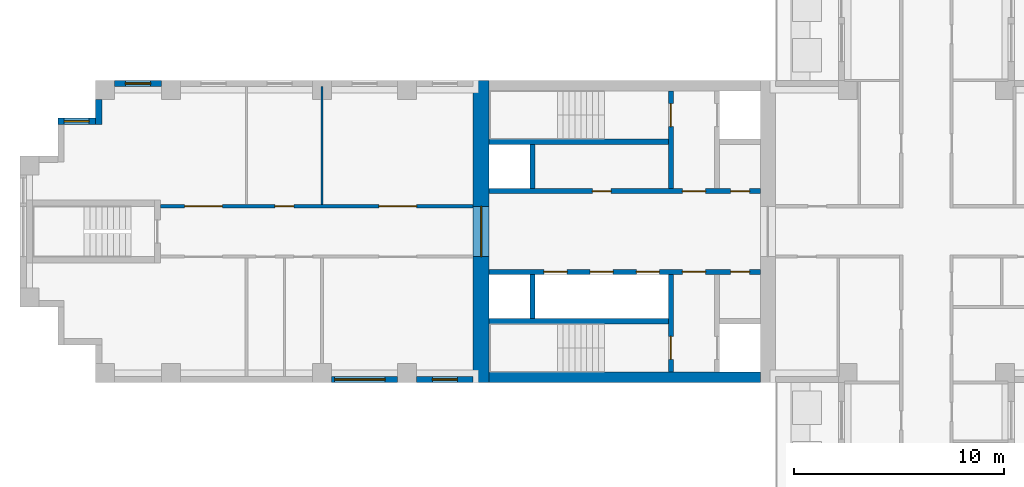
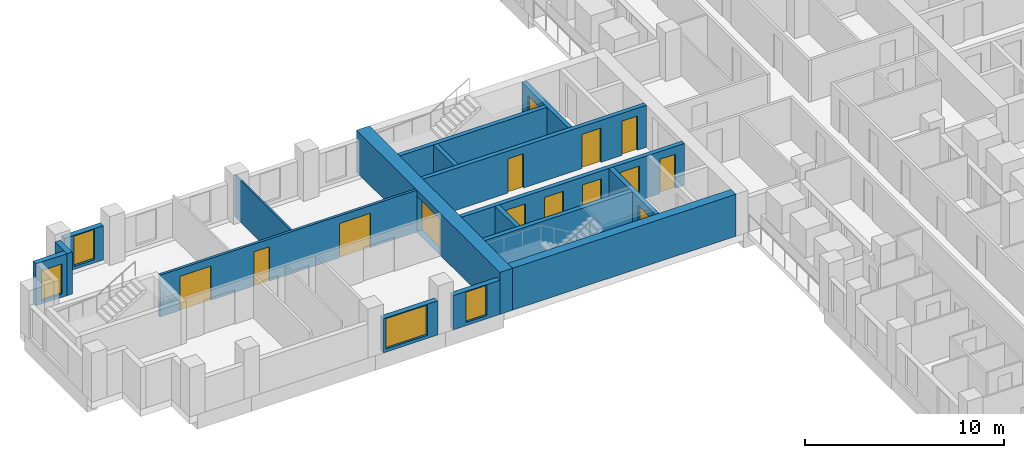
# One storey, part 6 of 15: 17 walls, 14 doors, 4 windows, 18 openings.
"""IFC4 building model written with IfcOpenShell, lengths in metres."""

from ifc_helpers import new_model, si_unit, direction, frame, frame_2d, origin, place, context, subcontext, project, spatial, rectangle, extrude, material, layer, layer_set, type_object, element, fill, save


model = new_model("IFC4")

# Units and contexts
model_context = context("Model", 3, precision=1e-05, world=origin(), true_north=direction((0.0, 1.0)))
body_context = subcontext(model_context, "Body", "Model", "MODEL_VIEW")
ifc_project = project(units=[si_unit("LENGTHUNIT", "METRE"), si_unit("AREAUNIT", "SQUARE_METRE"), si_unit("VOLUMEUNIT", "CUBIC_METRE"), si_unit("PLANEANGLEUNIT", "RADIAN"), si_unit("MASSUNIT", "GRAM", prefix="KILO")], contexts=[model_context])

# Site, building, storey
site_placement = place(None, origin())
site = spatial("IfcSite", under=ifc_project, at=site_placement, CompositionType="ELEMENT")
building_placement = place(site_placement, origin())
building = spatial("IfcBuilding", under=site, at=building_placement, Name="Fustian Cross Tower", CompositionType="ELEMENT")
storey_placement = place(building_placement, frame((0.0, 0.0, 17.699951171875)))
storey = spatial("IfcBuildingStorey", under=building, at=storey_placement, Name="L04", CompositionType="ELEMENT", Elevation=17.699951171875)

# Wall, openings, doors
ifc_material_1 = material(Name="Plasterboard on steel stud", Category="steel")
ifc_layer_1 = layer(ifc_material_1, 0.14990234375)
ifc_layer_set_1 = layer_set([ifc_layer_1], Name="Plasterboard on steel stud")
wall_type_1 = type_object("IfcWallType", Name="COMPARTMENT WALL 150 EI 60", PredefinedType="PARTITIONING", material=ifc_layer_set_1)
wall_1_placement = place(storey_placement, frame((-36.5, 1.199951171875, 0.0), z_axis=(0.0, 0.0, 1.0), x_axis=(1.0, 0.0, 0.0)))
wall_1 = element("IfcWall", 1, at=wall_1_placement, inside=storey, type_object=wall_type_1, Name="Partition 2", PredefinedType="PARTITIONING", context=body_context, shape_type="SweptSolid", body=[
    extrude(rectangle(XDim=14.89990234375, YDim=0.14990234375, at=frame_2d((7.449951171875, 0.0))), origin(), (0.0, 0.0, 1.0), 2.574951171875),
])
opening_1_placement = place(wall_1_placement, frame((10.39990234375, 0.0, 0.0)))
opening_1 = element("IfcOpeningElement", 2, at=opening_1_placement, cuts=wall_1, Name="Opening D04052", PredefinedType="OPENING", context=body_context, shape_type="SweptSolid", body=[
    extrude(rectangle(XDim=1.800048828125, YDim=2.10009765625, at=frame_2d((0.89990234375, 1.050048828125))), frame((0.0, 0.0849609375, 0.0), z_axis=(0.0, -1.0, 0.0), x_axis=(1.0, 0.0, 0.0)), (0.0, 0.0, 1.0), 0.169921875),
])
opening_2_placement = place(wall_1_placement, frame((5.449951171875, 0.0, 0.0)))
opening_2 = element("IfcOpeningElement", 3, at=opening_2_placement, cuts=wall_1, Name="Opening D04053", PredefinedType="OPENING", context=body_context, shape_type="SweptSolid", body=[
    extrude(rectangle(XDim=0.89990234375, YDim=2.10009765625, at=frame_2d((0.449951171875, 1.050048828125))), frame((0.0, 0.0849609375, 0.0), z_axis=(0.0, -1.0, 0.0), x_axis=(1.0, 0.0, 0.0)), (0.0, 0.0, 1.0), 0.169921875),
])
opening_3_placement = place(wall_1_placement, frame((1.14990234375, 0.0, 0.0)))
opening_3 = element("IfcOpeningElement", 4, at=opening_3_placement, cuts=wall_1, Name="Opening D04054", PredefinedType="OPENING", context=body_context, shape_type="SweptSolid", body=[
    extrude(rectangle(XDim=1.800048828125, YDim=2.10009765625, at=frame_2d((0.89990234375, 1.050048828125))), frame((0.0, 0.0849609375, 0.0), z_axis=(0.0, -1.0, 0.0), x_axis=(1.0, 0.0, 0.0)), (0.0, 0.0, 1.0), 0.169921875),
])
ifc_material_2 = material(Name="Timber fire door set", Category="wood")
door_type_1 = type_object("IfcDoorType", Name="FIRE DOUBLE DOOR 1800 FD30S", OperationType="DOUBLE_DOOR_DOUBLE_SWING", PredefinedType="DOOR", material=ifc_material_2)
door_1_placement = place(opening_1_placement, frame((1.800048828125, 0.0, 0.0), z_axis=(0.0, 0.0, 1.0), x_axis=(-1.0, 0.0, 0.0)))
door_1 = element("IfcDoor", 5, at=door_1_placement, inside=storey, type_object=door_type_1, Name="Door D04052", OperationType="DOUBLE_DOOR_DOUBLE_SWING", OverallHeight=2.10009765625, OverallWidth=1.800048828125, PredefinedType="DOOR", context=body_context, shape_type="SweptSolid", body=[
    extrude(rectangle(XDim=1.800048828125, YDim=2.10009765625, at=frame_2d((0.89990234375, 1.050048828125))), frame((0.0, 0.02490234375, 0.0), z_axis=(0.0, -1.0, 0.0), x_axis=(1.0, 0.0, 0.0)), (0.0, 0.0, 1.0), 0.050048828125),
])
fill(opening_1, door_1)
door_2_placement = place(opening_3_placement, frame((1.800048828125, 0.0, 0.0), z_axis=(0.0, 0.0, 1.0), x_axis=(-1.0, 0.0, 0.0)))
door_2 = element("IfcDoor", 6, at=door_2_placement, inside=storey, type_object=door_type_1, Name="Door D04054", OperationType="DOUBLE_DOOR_DOUBLE_SWING", OverallHeight=2.10009765625, OverallWidth=1.800048828125, PredefinedType="DOOR", context=body_context, shape_type="SweptSolid", body=[
    extrude(rectangle(XDim=1.800048828125, YDim=2.10009765625, at=frame_2d((0.89990234375, 1.050048828125))), frame((0.0, 0.02490234375, 0.0), z_axis=(0.0, -1.0, 0.0), x_axis=(1.0, 0.0, 0.0)), (0.0, 0.0, 1.0), 0.050048828125),
])
fill(opening_3, door_2)
ifc_material_3 = material(Name="Timber fire door set", Category="wood")
door_type_2 = type_object("IfcDoorType", Name="FIRE SWING DOOR 900 FD30S", OperationType="SINGLE_SWING_LEFT", PredefinedType="DOOR", material=ifc_material_3)
door_3_placement = place(opening_2_placement, origin())
door_3 = element("IfcDoor", 7, at=door_3_placement, inside=storey, type_object=door_type_2, Name="Door D04053", OperationType="SINGLE_SWING_LEFT", OverallHeight=2.10009765625, OverallWidth=0.89990234375, PredefinedType="DOOR", context=body_context, shape_type="SweptSolid", body=[
    extrude(rectangle(XDim=0.89990234375, YDim=2.10009765625, at=frame_2d((0.449951171875, 1.050048828125))), frame((0.0, 0.02490234375, 0.0), z_axis=(0.0, -1.0, 0.0), x_axis=(1.0, 0.0, 0.0)), (0.0, 0.0, 1.0), 0.050048828125),
])
fill(opening_2, door_3)

# Wall, opening, door
ifc_material_4 = material(Name="Concrete C80/95", Category="concrete")
ifc_layer_2 = layer(ifc_material_4, 0.75)
ifc_layer_set_2 = layer_set([ifc_layer_2], Name="Concrete C80/95")
wall_type_2 = type_object("IfcWallType", Name="CORE END WALL 750 C80/95", PredefinedType="SHEAR", material=ifc_layer_set_2)
wall_2_placement = place(storey_placement, frame((-21.22509765625, -7.199951171875, 0.0), z_axis=(0.0, 0.0, 1.0), x_axis=(0.0, 1.0, 0.0)))
wall_2 = element("IfcWall", 8, at=wall_2_placement, inside=storey, type_object=wall_type_2, Name="Core end wall", PredefinedType="SHEAR", context=body_context, shape_type="SweptSolid", body=[
    extrude(rectangle(XDim=14.39990234375, YDim=0.75, at=frame_2d((7.199951171875, 0.0))), origin(), (0.0, 0.0, 1.0), 2.574951171875),
])
opening_4_placement = place(wall_2_placement, frame((6.0, 0.0, 0.0)))
opening_4 = element("IfcOpeningElement", 9, at=opening_4_placement, cuts=wall_2, Name="Opening CD-04-27", PredefinedType="OPENING", context=body_context, shape_type="SweptSolid", body=[
    extrude(rectangle(XDim=2.39990234375, YDim=2.199951171875, at=frame_2d((1.199951171875, 1.10009765625))), frame((0.0, 0.385009765625, 0.0), z_axis=(0.0, -1.0, 0.0), x_axis=(1.0, 0.0, 0.0)), (0.0, 0.0, 1.0), 0.77001953125),
])
ifc_material_5 = material(Name="Steel", Category="steel")
door_type_3 = type_object("IfcDoorType", Name="FIRE DOOR FD30S DOUBLE 2400X2200", OperationType="DOUBLE_DOOR_DOUBLE_SWING", PredefinedType="DOOR", material=ifc_material_5)
door_4_placement = place(opening_4_placement, frame((2.39990234375, 0.0, 0.0), z_axis=(0.0, 0.0, 1.0), x_axis=(-1.0, 0.0, 0.0)))
door_4 = element("IfcDoor", 10, at=door_4_placement, inside=storey, type_object=door_type_3, Name="Core door CD-04-27", OperationType="DOUBLE_DOOR_DOUBLE_SWING", OverallHeight=2.199951171875, OverallWidth=2.39990234375, PredefinedType="DOOR", context=body_context, shape_type="SweptSolid", body=[
    extrude(rectangle(XDim=2.39990234375, YDim=2.199951171875, at=frame_2d((1.199951171875, 1.10009765625))), frame((0.0, 0.02490234375, 0.0), z_axis=(0.0, -1.0, 0.0), x_axis=(1.0, 0.0, 0.0)), (0.0, 0.0, 1.0), 0.050048828125),
])
fill(opening_4, door_4)

# Wall
ifc_material_6 = material(Name="Concrete C80/95", Category="concrete")
ifc_layer_3 = layer(ifc_material_6, 0.5)
ifc_layer_set_3 = layer_set([ifc_layer_3], Name="Concrete C80/95")
wall_type_3 = type_object("IfcWallType", Name="CORE FACADE WALL 500 C80/95", PredefinedType="SHEAR", material=ifc_layer_set_3)
wall_3_placement = place(storey_placement, frame((-7.89990234375, -6.949951171875, 0.0), z_axis=(0.0, 0.0, 1.0), x_axis=(-1.0, 0.0, 0.0)))
element("IfcWall", 11, at=wall_3_placement, inside=storey, type_object=wall_type_3, Name="Core facade wall", PredefinedType="SHEAR", context=body_context, shape_type="SweptSolid", body=[
    extrude(rectangle(XDim=12.9501953125, YDim=0.5, at=frame_2d((6.47509765625, 0.0))), origin(), (0.0, 0.0, 1.0), 2.574951171875),
])

# Wall, openings, doors
ifc_material_7 = material(Name="Concrete C50/60", Category="concrete")
ifc_layer_4 = layer(ifc_material_7, 0.25)
ifc_layer_set_4 = layer_set([ifc_layer_4], Name="Concrete C50/60")
wall_type_4 = type_object("IfcWallType", Name="CORE LOBBY WALL 250 C50/60", PredefinedType="SHEAR", material=ifc_layer_set_4)
wall_4_placement = place(storey_placement, frame((-7.89990234375, 1.925048828125, 0.0), z_axis=(0.0, 0.0, 1.0), x_axis=(-1.0, 0.0, 0.0)))
wall_4 = element("IfcWall", 12, at=wall_4_placement, inside=storey, type_object=wall_type_4, Name="Core lobby wall", PredefinedType="SHEAR", context=body_context, shape_type="SweptSolid", body=[
    extrude(rectangle(XDim=12.9501953125, YDim=0.25, at=frame_2d((6.47509765625, 0.0))), origin(), (0.0, 0.0, 1.0), 2.574951171875),
])
opening_5_placement = place(wall_4_placement, frame((0.52490234375, 0.0, 0.0)))
opening_5 = element("IfcOpeningElement", 13, at=opening_5_placement, cuts=wall_4, Name="Opening CD-04-22", PredefinedType="OPENING", context=body_context, shape_type="SweptSolid", body=[
    extrude(rectangle(XDim=0.89990234375, YDim=2.10009765625, at=frame_2d((0.449951171875, 1.050048828125))), frame((0.0, 0.135009765625, 0.0), z_axis=(0.0, -1.0, 0.0), x_axis=(1.0, 0.0, 0.0)), (0.0, 0.0, 1.0), 0.27001953125),
])
opening_6_placement = place(wall_4_placement, frame((2.625, 0.0, 0.0)))
opening_6 = element("IfcOpeningElement", 14, at=opening_6_placement, cuts=wall_4, Name="Opening CD-04-24", PredefinedType="OPENING", context=body_context, shape_type="SweptSolid", body=[
    extrude(rectangle(XDim=1.10009765625, YDim=2.10009765625, at=frame_2d((0.550048828125, 1.050048828125))), frame((0.0, 0.135009765625, 0.0), z_axis=(0.0, -1.0, 0.0), x_axis=(1.0, 0.0, 0.0)), (0.0, 0.0, 1.0), 0.27001953125),
])
opening_7_placement = place(wall_4_placement, frame((7.125, 0.0, 0.0)))
opening_7 = element("IfcOpeningElement", 15, at=opening_7_placement, cuts=wall_4, Name="Opening CD-04-28", PredefinedType="OPENING", context=body_context, shape_type="SweptSolid", body=[
    extrude(rectangle(XDim=0.89990234375, YDim=2.10009765625, at=frame_2d((0.449951171875, 1.050048828125))), frame((0.0, 0.135009765625, 0.0), z_axis=(0.0, -1.0, 0.0), x_axis=(1.0, 0.0, 0.0)), (0.0, 0.0, 1.0), 0.27001953125),
])
ifc_material_8 = material(Name="Steel", Category="steel")
door_type_4 = type_object("IfcDoorType", Name="FIRE DOOR FD30S 900X2100", OperationType="SINGLE_SWING_LEFT", PredefinedType="DOOR", material=ifc_material_8)
door_5_placement = place(opening_7_placement, frame((0.89990234375, 0.0, 0.0), z_axis=(0.0, 0.0, 1.0), x_axis=(-1.0, 0.0, 0.0)))
door_5 = element("IfcDoor", 16, at=door_5_placement, inside=storey, type_object=door_type_4, Name="Core door CD-04-28", OperationType="SINGLE_SWING_RIGHT", OverallHeight=2.10009765625, OverallWidth=0.89990234375, PredefinedType="DOOR", context=body_context, shape_type="SweptSolid", body=[
    extrude(rectangle(XDim=0.89990234375, YDim=2.10009765625, at=frame_2d((0.449951171875, 1.050048828125))), frame((0.0, 0.02490234375, 0.0), z_axis=(0.0, -1.0, 0.0), x_axis=(1.0, 0.0, 0.0)), (0.0, 0.0, 1.0), 0.050048828125),
])
fill(opening_7, door_5)
ifc_material_9 = material(Name="Steel", Category="steel")
door_type_5 = type_object("IfcDoorType", Name="FIRE DOOR FD60S 1100X2100", OperationType="SINGLE_SWING_LEFT", PredefinedType="DOOR", material=ifc_material_9)
door_6_placement = place(opening_6_placement, frame((1.10009765625, 0.0, 0.0), z_axis=(0.0, 0.0, 1.0), x_axis=(-1.0, 0.0, 0.0)))
door_6 = element("IfcDoor", 17, at=door_6_placement, inside=storey, type_object=door_type_5, Name="Core door CD-04-24", OperationType="SINGLE_SWING_RIGHT", OverallHeight=2.10009765625, OverallWidth=1.10009765625, PredefinedType="DOOR", context=body_context, shape_type="SweptSolid", body=[
    extrude(rectangle(XDim=1.10009765625, YDim=2.10009765625, at=frame_2d((0.550048828125, 1.050048828125))), frame((0.0, 0.02490234375, 0.0), z_axis=(0.0, -1.0, 0.0), x_axis=(1.0, 0.0, 0.0)), (0.0, 0.0, 1.0), 0.050048828125),
])
fill(opening_6, door_6)
ifc_material_10 = material(Name="Steel", Category="steel")
door_type_6 = type_object("IfcDoorType", Name="FIRE DOOR FD60S 900X2100", OperationType="SINGLE_SWING_LEFT", PredefinedType="DOOR", material=ifc_material_10)
door_7_placement = place(opening_5_placement, frame((0.89990234375, 0.0, 0.0), z_axis=(0.0, 0.0, 1.0), x_axis=(-1.0, 0.0, 0.0)))
door_7 = element("IfcDoor", 18, at=door_7_placement, inside=storey, type_object=door_type_6, Name="Core door CD-04-22", OperationType="SINGLE_SWING_RIGHT", OverallHeight=2.10009765625, OverallWidth=0.89990234375, PredefinedType="DOOR", context=body_context, shape_type="SweptSolid", body=[
    extrude(rectangle(XDim=0.89990234375, YDim=2.10009765625, at=frame_2d((0.449951171875, 1.050048828125))), frame((0.0, 0.02490234375, 0.0), z_axis=(0.0, -1.0, 0.0), x_axis=(1.0, 0.0, 0.0)), (0.0, 0.0, 1.0), 0.050048828125),
])
fill(opening_5, door_7)

wall_5_placement = place(storey_placement, frame((-7.89990234375, -1.925048828125, 0.0), z_axis=(0.0, 0.0, 1.0), x_axis=(-1.0, 0.0, 0.0)))
wall_5 = element("IfcWall", 19, at=wall_5_placement, inside=storey, type_object=wall_type_4, Name="Core lobby wall", PredefinedType="SHEAR", context=body_context, shape_type="SweptSolid", body=[
    extrude(rectangle(XDim=12.9501953125, YDim=0.25, at=frame_2d((6.47509765625, 0.0))), origin(), (0.0, 0.0, 1.0), 2.574951171875),
])
opening_8_placement = place(wall_5_placement, frame((4.824951171875, 0.0, 0.0)))
opening_8 = element("IfcOpeningElement", 20, at=opening_8_placement, cuts=wall_5, Name="Opening LD", PredefinedType="OPENING", context=body_context, shape_type="SweptSolid", body=[
    extrude(rectangle(XDim=1.10009765625, YDim=2.10009765625, at=frame_2d((0.550048828125, 1.050048828125))), frame((0.0, 0.135009765625, 0.0), z_axis=(0.0, -1.0, 0.0), x_axis=(1.0, 0.0, 0.0)), (0.0, 0.0, 1.0), 0.27001953125),
])
opening_9_placement = place(wall_5_placement, frame((7.02490234375, 0.0, 0.0)))
opening_9 = element("IfcOpeningElement", 21, at=opening_9_placement, cuts=wall_5, Name="Opening LD", PredefinedType="OPENING", context=body_context, shape_type="SweptSolid", body=[
    extrude(rectangle(XDim=1.10009765625, YDim=2.10009765625, at=frame_2d((0.550048828125, 1.050048828125))), frame((0.0, 0.135009765625, 0.0), z_axis=(0.0, -1.0, 0.0), x_axis=(1.0, 0.0, 0.0)), (0.0, 0.0, 1.0), 0.27001953125),
])
opening_10_placement = place(wall_5_placement, frame((9.22509765625, 0.0, 0.0)))
opening_10 = element("IfcOpeningElement", 22, at=opening_10_placement, cuts=wall_5, Name="Opening LD", PredefinedType="OPENING", context=body_context, shape_type="SweptSolid", body=[
    extrude(rectangle(XDim=1.10009765625, YDim=2.10009765625, at=frame_2d((0.550048828125, 1.050048828125))), frame((0.0, 0.135009765625, 0.0), z_axis=(0.0, -1.0, 0.0), x_axis=(1.0, 0.0, 0.0)), (0.0, 0.0, 1.0), 0.27001953125),
])
opening_11_placement = place(wall_5_placement, frame((0.52490234375, 0.0, 0.0)))
opening_11 = element("IfcOpeningElement", 23, at=opening_11_placement, cuts=wall_5, Name="Opening CD-04-23", PredefinedType="OPENING", context=body_context, shape_type="SweptSolid", body=[
    extrude(rectangle(XDim=0.89990234375, YDim=2.10009765625, at=frame_2d((0.449951171875, 1.050048828125))), frame((0.0, 0.135009765625, 0.0), z_axis=(0.0, -1.0, 0.0), x_axis=(1.0, 0.0, 0.0)), (0.0, 0.0, 1.0), 0.27001953125),
])
opening_12_placement = place(wall_5_placement, frame((2.625, 0.0, 0.0)))
opening_12 = element("IfcOpeningElement", 24, at=opening_12_placement, cuts=wall_5, Name="Opening CD-04-25", PredefinedType="OPENING", context=body_context, shape_type="SweptSolid", body=[
    extrude(rectangle(XDim=1.10009765625, YDim=2.10009765625, at=frame_2d((0.550048828125, 1.050048828125))), frame((0.0, 0.135009765625, 0.0), z_axis=(0.0, -1.0, 0.0), x_axis=(1.0, 0.0, 0.0)), (0.0, 0.0, 1.0), 0.27001953125),
])
ifc_material_11 = material(Name="Steel", Category="steel")
door_type_7 = type_object("IfcDoorType", Name="FIRE DOOR FD30S 1100X2100", OperationType="SINGLE_SWING_LEFT", PredefinedType="DOOR", material=ifc_material_11)
door_8_placement = place(opening_12_placement, frame((1.10009765625, 0.0, 0.0), z_axis=(0.0, 0.0, 1.0), x_axis=(-1.0, 0.0, 0.0)))
door_8 = element("IfcDoor", 25, at=door_8_placement, inside=storey, type_object=door_type_7, Name="Core door CD-04-25", OperationType="SINGLE_SWING_RIGHT", OverallHeight=2.10009765625, OverallWidth=1.10009765625, PredefinedType="DOOR", context=body_context, shape_type="SweptSolid", body=[
    extrude(rectangle(XDim=1.10009765625, YDim=2.10009765625, at=frame_2d((0.550048828125, 1.050048828125))), frame((0.0, 0.02490234375, 0.0), z_axis=(0.0, -1.0, 0.0), x_axis=(1.0, 0.0, 0.0)), (0.0, 0.0, 1.0), 0.050048828125),
])
fill(opening_12, door_8)
door_9_placement = place(opening_11_placement, origin())
door_9 = element("IfcDoor", 26, at=door_9_placement, inside=storey, type_object=door_type_4, Name="Core door CD-04-23", OperationType="SINGLE_SWING_LEFT", OverallHeight=2.10009765625, OverallWidth=0.89990234375, PredefinedType="DOOR", context=body_context, shape_type="SweptSolid", body=[
    extrude(rectangle(XDim=0.89990234375, YDim=2.10009765625, at=frame_2d((0.449951171875, 1.050048828125))), frame((0.0, 0.02490234375, 0.0), z_axis=(0.0, -1.0, 0.0), x_axis=(1.0, 0.0, 0.0)), (0.0, 0.0, 1.0), 0.050048828125),
])
fill(opening_11, door_9)
ifc_material_12 = material(Name="Stainless steel", Category="steel")
door_type_8 = type_object("IfcDoorType", Name="LIFT LANDING DOOR 1100X2100", OperationType="SLIDING_TO_LEFT", PredefinedType="DOOR", material=ifc_material_12)
door_10_placement = place(opening_8_placement, origin())
door_10 = element("IfcDoor", 27, at=door_10_placement, inside=storey, type_object=door_type_8, Name="Landing door LR1W", OperationType="SLIDING_TO_LEFT", OverallHeight=2.10009765625, OverallWidth=1.10009765625, PredefinedType="DOOR", context=body_context, shape_type="SweptSolid", body=[
    extrude(rectangle(XDim=1.10009765625, YDim=2.10009765625, at=frame_2d((0.550048828125, 1.050048828125))), frame((0.0, 0.02490234375, 0.0), z_axis=(0.0, -1.0, 0.0), x_axis=(1.0, 0.0, 0.0)), (0.0, 0.0, 1.0), 0.050048828125),
])
fill(opening_8, door_10)
door_11_placement = place(opening_9_placement, origin())
door_11 = element("IfcDoor", 28, at=door_11_placement, inside=storey, type_object=door_type_8, Name="Landing door LR2W", OperationType="SLIDING_TO_LEFT", OverallHeight=2.10009765625, OverallWidth=1.10009765625, PredefinedType="DOOR", context=body_context, shape_type="SweptSolid", body=[
    extrude(rectangle(XDim=1.10009765625, YDim=2.10009765625, at=frame_2d((0.550048828125, 1.050048828125))), frame((0.0, 0.02490234375, 0.0), z_axis=(0.0, -1.0, 0.0), x_axis=(1.0, 0.0, 0.0)), (0.0, 0.0, 1.0), 0.050048828125),
])
fill(opening_9, door_11)
door_12_placement = place(opening_10_placement, origin())
door_12 = element("IfcDoor", 29, at=door_12_placement, inside=storey, type_object=door_type_8, Name="Landing door LR3W", OperationType="SLIDING_TO_LEFT", OverallHeight=2.10009765625, OverallWidth=1.10009765625, PredefinedType="DOOR", context=body_context, shape_type="SweptSolid", body=[
    extrude(rectangle(XDim=1.10009765625, YDim=2.10009765625, at=frame_2d((0.550048828125, 1.050048828125))), frame((0.0, 0.02490234375, 0.0), z_axis=(0.0, -1.0, 0.0), x_axis=(1.0, 0.0, 0.0)), (0.0, 0.0, 1.0), 0.050048828125),
])
fill(opening_10, door_12)

# Wall
ifc_material_13 = material(Name="Concrete C50/60", Category="concrete")
ifc_layer_5 = layer(ifc_material_13, 0.25)
ifc_layer_set_5 = layer_set([ifc_layer_5], Name="Concrete C50/60")
wall_type_5 = type_object("IfcWallType", Name="CORE SHAFT WALL 250 C50/60", PredefinedType="SHEAR", material=ifc_layer_set_5)
wall_6_placement = place(storey_placement, frame((-12.300048828125, 4.27490234375, 0.0), z_axis=(0.0, 0.0, 1.0), x_axis=(-1.0, 0.0, 0.0)))
element("IfcWall", 30, at=wall_6_placement, inside=storey, type_object=wall_type_5, Name="Core shaft wall", PredefinedType="SHEAR", context=body_context, shape_type="SweptSolid", body=[
    extrude(rectangle(XDim=8.550048828125, YDim=0.25, at=frame_2d((4.27490234375, 0.0))), origin(), (0.0, 0.0, 1.0), 2.574951171875),
])

# Wall, opening, door
wall_7_placement = place(storey_placement, frame((-12.175048828125, 2.050048828125, 0.0), z_axis=(0.0, 0.0, 1.0), x_axis=(0.0, 1.0, 0.0)))
wall_7 = element("IfcWall", 31, at=wall_7_placement, inside=storey, type_object=wall_type_5, Name="Core shaft wall", PredefinedType="SHEAR", context=body_context, shape_type="SweptSolid", body=[
    extrude(rectangle(XDim=4.64990234375, YDim=0.25, at=frame_2d((2.324951171875, 0.0))), origin(), (0.0, 0.0, 1.0), 2.574951171875),
])
opening_13_placement = place(wall_7_placement, frame((2.949951171875, 0.0, 0.0)))
opening_13 = element("IfcOpeningElement", 32, at=opening_13_placement, cuts=wall_7, Name="Opening CD-04-20", PredefinedType="OPENING", context=body_context, shape_type="SweptSolid", body=[
    extrude(rectangle(XDim=1.10009765625, YDim=2.10009765625, at=frame_2d((0.550048828125, 1.050048828125))), frame((0.0, 0.135009765625, 0.0), z_axis=(0.0, -1.0, 0.0), x_axis=(1.0, 0.0, 0.0)), (0.0, 0.0, 1.0), 0.27001953125),
])
door_13_placement = place(opening_13_placement, origin())
door_13 = element("IfcDoor", 33, at=door_13_placement, inside=storey, type_object=door_type_5, Name="Core door CD-04-20", OperationType="SINGLE_SWING_LEFT", OverallHeight=2.10009765625, OverallWidth=1.10009765625, PredefinedType="DOOR", context=body_context, shape_type="SweptSolid", body=[
    extrude(rectangle(XDim=1.10009765625, YDim=2.10009765625, at=frame_2d((0.550048828125, 1.050048828125))), frame((0.0, 0.02490234375, 0.0), z_axis=(0.0, -1.0, 0.0), x_axis=(1.0, 0.0, 0.0)), (0.0, 0.0, 1.0), 0.050048828125),
])
fill(opening_13, door_13)

# Wall
wall_8_placement = place(storey_placement, frame((-12.300048828125, -4.27490234375, 0.0), z_axis=(0.0, 0.0, 1.0), x_axis=(-1.0, 0.0, 0.0)))
element("IfcWall", 34, at=wall_8_placement, inside=storey, type_object=wall_type_5, Name="Core shaft wall", PredefinedType="SHEAR", context=body_context, shape_type="SweptSolid", body=[
    extrude(rectangle(XDim=8.550048828125, YDim=0.25, at=frame_2d((4.27490234375, 0.0))), origin(), (0.0, 0.0, 1.0), 2.574951171875),
])

# Wall, opening, door
wall_9_placement = place(storey_placement, frame((-12.175048828125, -2.050048828125, 0.0), z_axis=(0.0, 0.0, 1.0), x_axis=(0.0, -1.0, 0.0)))
wall_9 = element("IfcWall", 35, at=wall_9_placement, inside=storey, type_object=wall_type_5, Name="Core shaft wall", PredefinedType="SHEAR", context=body_context, shape_type="SweptSolid", body=[
    extrude(rectangle(XDim=4.64990234375, YDim=0.25, at=frame_2d((2.324951171875, 0.0))), origin(), (0.0, 0.0, 1.0), 2.574951171875),
])
opening_14_placement = place(wall_9_placement, frame((2.949951171875, 0.0, 0.0)))
opening_14 = element("IfcOpeningElement", 36, at=opening_14_placement, cuts=wall_9, Name="Opening CD-04-21", PredefinedType="OPENING", context=body_context, shape_type="SweptSolid", body=[
    extrude(rectangle(XDim=1.10009765625, YDim=2.10009765625, at=frame_2d((0.550048828125, 1.050048828125))), frame((0.0, 0.135009765625, 0.0), z_axis=(0.0, -1.0, 0.0), x_axis=(1.0, 0.0, 0.0)), (0.0, 0.0, 1.0), 0.27001953125),
])
door_14_placement = place(opening_14_placement, frame((1.10009765625, 0.0, 0.0), z_axis=(0.0, 0.0, 1.0), x_axis=(-1.0, 0.0, 0.0)))
door_14 = element("IfcDoor", 37, at=door_14_placement, inside=storey, type_object=door_type_5, Name="Core door CD-04-21", OperationType="SINGLE_SWING_RIGHT", OverallHeight=2.10009765625, OverallWidth=1.10009765625, PredefinedType="DOOR", context=body_context, shape_type="SweptSolid", body=[
    extrude(rectangle(XDim=1.10009765625, YDim=2.10009765625, at=frame_2d((0.550048828125, 1.050048828125))), frame((0.0, 0.02490234375, 0.0), z_axis=(0.0, -1.0, 0.0), x_axis=(1.0, 0.0, 0.0)), (0.0, 0.0, 1.0), 0.050048828125),
])
fill(opening_14, door_14)

# Walls
ifc_material_14 = material(Name="Plasterboard on steel stud", Category="steel")
ifc_layer_6 = layer(ifc_material_14, 0.10009765625)
ifc_layer_set_6 = layer_set([ifc_layer_6], Name="Plasterboard on steel stud")
wall_type_6 = type_object("IfcWallType", Name="PARTITION 100 STUD", PredefinedType="PARTITIONING", material=ifc_layer_set_6)
wall_10_placement = place(storey_placement, frame((-28.800048828125, 1.27490234375, 0.0), z_axis=(0.0, 0.0, 1.0), x_axis=(0.0, 1.0, 0.0)))
element("IfcWall", 38, at=wall_10_placement, inside=storey, type_object=wall_type_6, Name="Partition 7", PredefinedType="PARTITIONING", context=body_context, shape_type="SweptSolid", body=[
    extrude(rectangle(XDim=5.625, YDim=0.10009765625, at=frame_2d((2.8125, 0.0))), origin(), (0.0, 0.0, 1.0), 2.574951171875),
])
ifc_material_15 = material(Name="Concrete C40/50", Category="concrete")
ifc_layer_7 = layer(ifc_material_15, 0.25)
ifc_layer_set_7 = layer_set([ifc_layer_7], Name="Concrete C40/50")
wall_type_7 = type_object("IfcWallType", Name="SHAFT PARTITION WALL 250 C40/50", PredefinedType="PARTITIONING", material=ifc_layer_set_7)
for number, where, z_axis, x_axis, name in (
    (39, (-18.77490234375, 2.050048828125, 0.0), (0.0, 0.0, 1.0), (0.0, 1.0, 0.0), "Core shaft wall"),
    (40, (-18.77490234375, -2.050048828125, 0.0), (0.0, 0.0, 1.0), (0.0, -1.0, 0.0), "Core shaft wall"),
):
    element("IfcWall", number, at=place(storey_placement, frame(where, z_axis=z_axis, x_axis=x_axis)), inside=storey, type_object=wall_type_7, Name=name, PredefinedType="PARTITIONING", context=body_context, shape_type="SweptSolid", body=[
        extrude(rectangle(XDim=2.099853515625, YDim=0.25, at=frame_2d((1.0498046875, 0.0))), origin(), (0.0, 0.0, 1.0), 2.574951171875),
    ])

# Wall, opening, window
ifc_material_16 = material(Name="Dark aluminium cladding on insulated backing wall", Category="aluminium")
ifc_layer_8 = layer(ifc_material_16, 0.300048828125)
ifc_layer_set_8 = layer_set([ifc_layer_8], Name="Dark aluminium cladding on insulated backing wall")
wall_type_8 = type_object("IfcWallType", Name="XW1 EXTERNAL WALL 300", PredefinedType="SOLIDWALL", material=ifc_layer_set_8)
wall_11_placement = place(storey_placement, frame((-36.449951171875, 7.050048828125, 0.0), z_axis=(0.0, 0.0, 1.0), x_axis=(-1.0, 0.0, 0.0)))
wall_11 = element("IfcWall", 41, at=wall_11_placement, inside=storey, type_object=wall_type_8, Name="External wall", PredefinedType="SOLIDWALL", context=body_context, shape_type="SweptSolid", body=[
    extrude(rectangle(XDim=2.25, YDim=0.300048828125, at=frame_2d((1.125, 0.0))), origin(), (0.0, 0.0, 1.0), 2.10009765625),
])
opening_15_placement = place(wall_11_placement, frame((0.52490234375, 0.0, 0.199951171875)))
opening_15 = element("IfcOpeningElement", 42, at=opening_15_placement, cuts=wall_11, Name="Opening WN3", PredefinedType="OPENING", context=body_context, shape_type="SweptSolid", body=[
    extrude(rectangle(XDim=1.199951171875, YDim=1.85009765625, at=frame_2d((0.60009765625, 0.925048828125))), frame((0.0, 0.159912109375, 0.0), z_axis=(0.0, -1.0, 0.0), x_axis=(1.0, 0.0, 0.0)), (0.0, 0.0, 1.0), 0.320068359375),
])
ifc_material_17 = material(Name="Dark anodised aluminium and double glazing", Category="aluminium")
window_type_1 = type_object("IfcWindowType", Name="WN3 WINDOW 1200X1850", PartitioningType="SINGLE_PANEL", PredefinedType="WINDOW", material=ifc_material_17)
window_1_placement = place(opening_15_placement, origin())
window_1 = element("IfcWindow", 43, at=window_1_placement, inside=storey, type_object=window_type_1, Name="Window", OverallHeight=1.85009765625, OverallWidth=1.199951171875, PartitioningType="SINGLE_PANEL", PredefinedType="WINDOW", context=body_context, shape_type="SweptSolid", body=[
    extrude(rectangle(XDim=1.199951171875, YDim=1.85009765625, at=frame_2d((0.60009765625, 0.925048828125))), frame((0.0, 0.030029296875, 0.0), z_axis=(0.0, -1.0, 0.0), x_axis=(1.0, 0.0, 0.0)), (0.0, 0.0, 1.0), 0.06005859375),
])
fill(opening_15, window_1)

# Wall
wall_12_placement = place(storey_placement, frame((-39.449951171875, 6.300048828125, 0.0), z_axis=(0.0, 0.0, 1.0), x_axis=(0.0, -1.0, 0.0)))
element("IfcWall", 44, at=wall_12_placement, inside=storey, type_object=wall_type_8, Name="External wall", PredefinedType="SOLIDWALL", context=body_context, shape_type="SweptSolid", body=[
    extrude(rectangle(XDim=1.199951171875, YDim=0.300048828125, at=frame_2d((0.60009765625, 0.0))), origin(), (0.0, 0.0, 1.0), 2.574951171875),
])

# Wall, opening, window
wall_13_placement = place(storey_placement, frame((-39.60009765625, 5.25, 0.0), z_axis=(0.0, 0.0, 1.0), x_axis=(-1.0, 0.0, 0.0)))
wall_13 = element("IfcWall", 45, at=wall_13_placement, inside=storey, type_object=wall_type_8, Name="External wall", PredefinedType="SOLIDWALL", context=body_context, shape_type="SweptSolid", body=[
    extrude(rectangle(XDim=1.7998046875, YDim=0.300048828125, at=frame_2d((0.89990234375, 0.0))), origin(), (0.0, 0.0, 1.0), 2.574951171875),
])
opening_16_placement = place(wall_13_placement, frame((0.300048828125, 0.0, 0.199951171875)))
opening_16 = element("IfcOpeningElement", 46, at=opening_16_placement, cuts=wall_13, Name="Opening WN3", PredefinedType="OPENING", context=body_context, shape_type="SweptSolid", body=[
    extrude(rectangle(XDim=1.199951171875, YDim=1.85009765625, at=frame_2d((0.60009765625, 0.925048828125))), frame((0.0, 0.159912109375, 0.0), z_axis=(0.0, -1.0, 0.0), x_axis=(1.0, 0.0, 0.0)), (0.0, 0.0, 1.0), 0.320068359375),
])
window_2_placement = place(opening_16_placement, origin())
window_2 = element("IfcWindow", 47, at=window_2_placement, inside=storey, type_object=window_type_1, Name="Window", OverallHeight=1.85009765625, OverallWidth=1.199951171875, PartitioningType="SINGLE_PANEL", PredefinedType="WINDOW", context=body_context, shape_type="SweptSolid", body=[
    extrude(rectangle(XDim=1.199951171875, YDim=1.85009765625, at=frame_2d((0.60009765625, 0.925048828125))), frame((0.0, 0.030029296875, 0.0), z_axis=(0.0, -1.0, 0.0), x_axis=(1.0, 0.0, 0.0)), (0.0, 0.0, 1.0), 0.06005859375),
])
fill(opening_16, window_2)

wall_14_placement = place(storey_placement, frame((-28.35009765625, -7.050048828125, 0.0), z_axis=(0.0, 0.0, 1.0), x_axis=(1.0, 0.0, 0.0)))
wall_14 = element("IfcWall", 48, at=wall_14_placement, inside=storey, type_object=wall_type_8, Name="External wall", PredefinedType="SOLIDWALL", context=body_context, shape_type="SweptSolid", body=[
    extrude(rectangle(XDim=3.150146484375, YDim=0.300048828125, at=frame_2d((1.5751953125, 0.0))), origin(), (0.0, 0.0, 1.0), 2.10009765625),
])
opening_17_placement = place(wall_14_placement, frame((0.14990234375, 0.0, 0.199951171875)))
opening_17 = element("IfcOpeningElement", 49, at=opening_17_placement, cuts=wall_14, Name="Opening WN1", PredefinedType="OPENING", context=body_context, shape_type="SweptSolid", body=[
    extrude(rectangle(XDim=2.39990234375, YDim=1.85009765625, at=frame_2d((1.199951171875, 0.925048828125))), frame((0.0, 0.159912109375, 0.0), z_axis=(0.0, -1.0, 0.0), x_axis=(1.0, 0.0, 0.0)), (0.0, 0.0, 1.0), 0.320068359375),
])
ifc_material_18 = material(Name="Dark anodised aluminium and double glazing", Category="aluminium")
window_type_2 = type_object("IfcWindowType", Name="WN1 WINDOW 2400X1850", PartitioningType="SINGLE_PANEL", PredefinedType="WINDOW", material=ifc_material_18)
window_3_placement = place(opening_17_placement, origin())
window_3 = element("IfcWindow", 50, at=window_3_placement, inside=storey, type_object=window_type_2, Name="Window", OverallHeight=1.85009765625, OverallWidth=2.39990234375, PartitioningType="SINGLE_PANEL", PredefinedType="WINDOW", context=body_context, shape_type="SweptSolid", body=[
    extrude(rectangle(XDim=2.39990234375, YDim=1.85009765625, at=frame_2d((1.199951171875, 0.925048828125))), frame((0.0, 0.030029296875, 0.0), z_axis=(0.0, -1.0, 0.0), x_axis=(1.0, 0.0, 0.0)), (0.0, 0.0, 1.0), 0.06005859375),
])
fill(opening_17, window_3)

wall_15_placement = place(storey_placement, frame((-24.300048828125, -7.050048828125, 0.0), z_axis=(0.0, 0.0, 1.0), x_axis=(1.0, 0.0, 0.0)))
wall_15 = element("IfcWall", 51, at=wall_15_placement, inside=storey, type_object=wall_type_8, Name="External wall", PredefinedType="SOLIDWALL", context=body_context, shape_type="SweptSolid", body=[
    extrude(rectangle(XDim=2.699951171875, YDim=0.300048828125, at=frame_2d((1.35009765625, 0.0))), origin(), (0.0, 0.0, 1.0), 2.10009765625),
])
opening_18_placement = place(wall_15_placement, frame((0.75, 0.0, 0.199951171875)))
opening_18 = element("IfcOpeningElement", 52, at=opening_18_placement, cuts=wall_15, Name="Opening WN3", PredefinedType="OPENING", context=body_context, shape_type="SweptSolid", body=[
    extrude(rectangle(XDim=1.199951171875, YDim=1.85009765625, at=frame_2d((0.60009765625, 0.925048828125))), frame((0.0, 0.159912109375, 0.0), z_axis=(0.0, -1.0, 0.0), x_axis=(1.0, 0.0, 0.0)), (0.0, 0.0, 1.0), 0.320068359375),
])
window_4_placement = place(opening_18_placement, origin())
window_4 = element("IfcWindow", 53, at=window_4_placement, inside=storey, type_object=window_type_1, Name="Window", OverallHeight=1.85009765625, OverallWidth=1.199951171875, PartitioningType="SINGLE_PANEL", PredefinedType="WINDOW", context=body_context, shape_type="SweptSolid", body=[
    extrude(rectangle(XDim=1.199951171875, YDim=1.85009765625, at=frame_2d((0.60009765625, 0.925048828125))), frame((0.0, 0.030029296875, 0.0), z_axis=(0.0, -1.0, 0.0), x_axis=(1.0, 0.0, 0.0)), (0.0, 0.0, 1.0), 0.06005859375),
])
fill(opening_18, window_4)

save(model, "model.ifc")
